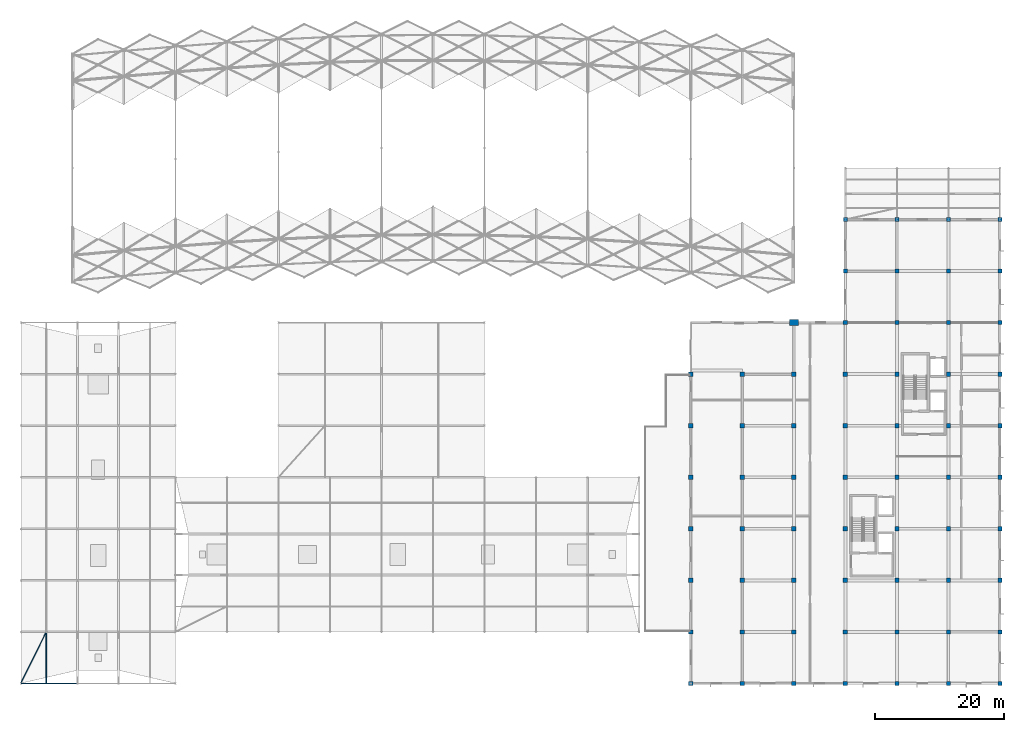
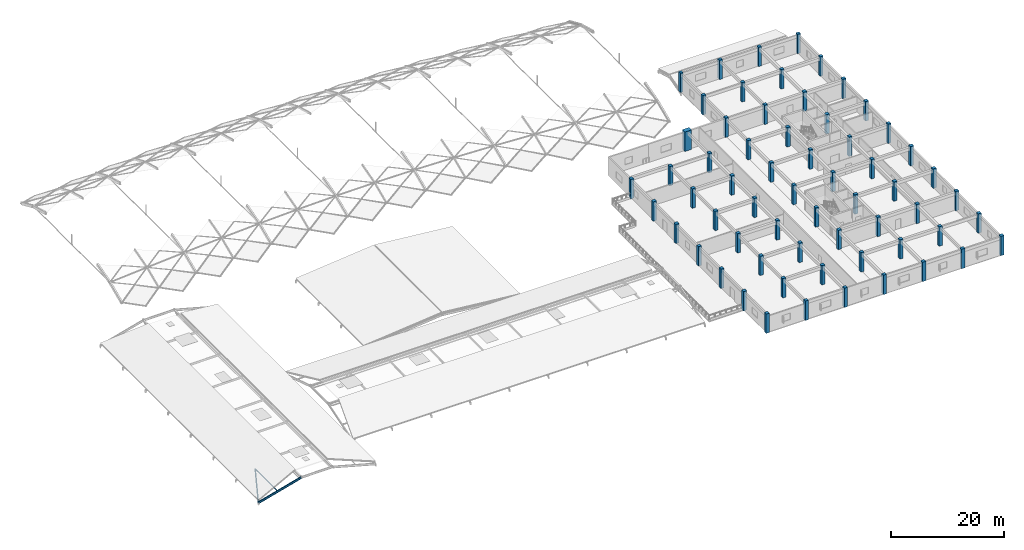
# One storey, part 1 of 54: 62 columns, 2 members, 1 beam.
"""IFC4 building model written with IfcOpenShell, lengths in metres."""

from ifc_helpers import new_model, si_unit, direction, frame, origin, origin_2d, place, context, subcontext, project, spatial, rectangle, hollow_circle, i_section, extrude, material, material_profile, profile_set, type_object, element, save


model = new_model("IFC4")

# Units and contexts
model_context = context("Model", 3, precision=1e-05, world=origin(), true_north=direction((0.0, 1.0)))
body_context = subcontext(model_context, "Body", "Model", "MODEL_VIEW")
ifc_project = project(units=[si_unit("LENGTHUNIT", "METRE"), si_unit("AREAUNIT", "SQUARE_METRE"), si_unit("VOLUMEUNIT", "CUBIC_METRE"), si_unit("PLANEANGLEUNIT", "RADIAN"), si_unit("MASSUNIT", "GRAM", prefix="KILO")], contexts=[model_context])

# Site, building, storey
site_placement = place(None, origin())
site = spatial("IfcSite", under=ifc_project, at=site_placement, CompositionType="ELEMENT")
building_placement = place(site_placement, origin())
building = spatial("IfcBuilding", under=site, at=building_placement, Name="Kenh Van Central Station", CompositionType="ELEMENT")
storey_placement = place(building_placement, frame((0.0, 0.0, 15.0)))
storey = spatial("IfcBuildingStorey", under=building, at=storey_placement, Name="L03", CompositionType="ELEMENT", Elevation=15.0)

# Columns
ifc_material_1 = material(Name="Concrete C40/50", Category="concrete")
ifc_material_profile_1 = material_profile(ifc_material_1, rectangle(XDim=1.39990234375, YDim=0.89990234375, at=origin_2d()), Name="RC 1400x900")
ifc_profile_set_1 = profile_set([ifc_material_profile_1], Name="Concrete C40/50")
column_type_1 = type_object("IfcColumnType", Name="COL-PIER-1400x900", PredefinedType="COLUMN", material=ifc_profile_set_1)
column_placement = place(storey_placement, frame((144.0, 64.0, 0.0), z_axis=(0.0, 0.0, 1.0), x_axis=(1.0, 0.0, 0.0)))
element("IfcColumn", 1, at=column_placement, inside=storey, type_object=column_type_1, Name="L03 column VP-14-0", PredefinedType="COLUMN", context=body_context, shape_type="SweptSolid", body=[
    extrude(rectangle(XDim=1.39990234375, YDim=0.89990234375, at=origin_2d()), origin(), (0.0, 0.0, 1.0), 4.199951171875),
])
ifc_material_2 = material(Name="Concrete C35/45", Category="concrete")
ifc_material_profile_2 = material_profile(ifc_material_2, rectangle(XDim=0.60009765625, YDim=0.60009765625, at=origin_2d()), Name="RC 600x600")
ifc_profile_set_2 = profile_set([ifc_material_profile_2], Name="Concrete C35/45")
column_type_2 = type_object("IfcColumnType", Name="COL-RC-600x600", PredefinedType="COLUMN", material=ifc_profile_set_2)
for number, where, z_axis, x_axis, name in (
    (2, (152.0, 72.0, 0.0), (0.0, 0.0, 1.0), (1.0, 0.0, 0.0), "L03 column CN-1520-072"),
    (3, (152.0, 80.0, 0.0), (0.0, 0.0, 1.0), (1.0, 0.0, 0.0), "L03 column CN-1520-080"),
    (4, (160.0, 72.0, 0.0), (0.0, 0.0, 1.0), (1.0, 0.0, 0.0), "L03 column CN-1600-072"),
    (5, (160.0, 80.0, 0.0), (0.0, 0.0, 1.0), (1.0, 0.0, 0.0), "L03 column CN-1600-080"),
    (6, (168.0, 72.0, 0.0), (0.0, 0.0, 1.0), (1.0, 0.0, 0.0), "L03 column CN-1680-072"),
    (7, (168.0, 80.0, 0.0), (0.0, 0.0, 1.0), (1.0, 0.0, 0.0), "L03 column CN-1680-080"),
    (8, (176.0, 72.0, 0.0), (0.0, 0.0, 1.0), (1.0, 0.0, 0.0), "L03 column CN-1760-072"),
    (9, (176.0, 80.0, 0.0), (0.0, 0.0, 1.0), (1.0, 0.0, 0.0), "L03 column CN-1760-080"),
):
    element("IfcColumn", number, at=place(storey_placement, frame(where, z_axis=z_axis, x_axis=x_axis)), inside=storey, type_object=column_type_2, Name=name, PredefinedType="COLUMN", context=body_context, shape_type="SweptSolid", body=[
        extrude(rectangle(XDim=0.60009765625, YDim=0.60009765625, at=origin_2d()), origin(), (0.0, 0.0, 1.0), 4.199951171875),
    ])
ifc_material_profile_3 = material_profile(ifc_material_2, rectangle(XDim=0.64990234375, YDim=0.64990234375, at=origin_2d()), Name="RC 650x650")
ifc_profile_set_3 = profile_set([ifc_material_profile_3], Name="Concrete C35/45")
column_type_3 = type_object("IfcColumnType", Name="COL-RC-650x650", PredefinedType="COLUMN", material=ifc_profile_set_3)
for number, where, z_axis, x_axis, name in (
    (10, (128.0, 8.0, 0.0), (0.0, 0.0, 1.0), (1.0, 0.0, 0.0), "L03 column CE-1280-008"),
    (11, (128.0, 16.0, 0.0), (0.0, 0.0, 1.0), (1.0, 0.0, 0.0), "L03 column CE-1280-016"),
    (12, (128.0, 24.0, 0.0), (0.0, 0.0, 1.0), (1.0, 0.0, 0.0), "L03 column CE-1280-024"),
    (13, (128.0, 32.0, 0.0), (0.0, 0.0, 1.0), (1.0, 0.0, 0.0), "L03 column CE-1280-032"),
    (14, (128.0, 40.0, 0.0), (0.0, 0.0, 1.0), (1.0, 0.0, 0.0), "L03 column CE-1280-040"),
    (15, (128.0, 48.0, 0.0), (0.0, 0.0, 1.0), (1.0, 0.0, 0.0), "L03 column CE-1280-048"),
    (16, (128.0, 56.0, 0.0), (0.0, 0.0, 1.0), (1.0, 0.0, 0.0), "L03 column CE-1280-056"),
    (17, (136.0, 8.0, 0.0), (0.0, 0.0, 1.0), (1.0, 0.0, 0.0), "L03 column CE-1360-008"),
    (18, (136.0, 16.0, 0.0), (0.0, 0.0, 1.0), (1.0, 0.0, 0.0), "L03 column CE-1360-016"),
    (19, (136.0, 24.0, 0.0), (0.0, 0.0, 1.0), (1.0, 0.0, 0.0), "L03 column CE-1360-024"),
    (20, (136.0, 32.0, 0.0), (0.0, 0.0, 1.0), (1.0, 0.0, 0.0), "L03 column CE-1360-032"),
    (21, (136.0, 40.0, 0.0), (0.0, 0.0, 1.0), (1.0, 0.0, 0.0), "L03 column CE-1360-040"),
    (22, (136.0, 48.0, 0.0), (0.0, 0.0, 1.0), (1.0, 0.0, 0.0), "L03 column CE-1360-048"),
    (23, (136.0, 56.0, 0.0), (0.0, 0.0, 1.0), (1.0, 0.0, 0.0), "L03 column CE-1360-056"),
    (24, (144.0, 8.0, 0.0), (0.0, 0.0, 1.0), (1.0, 0.0, 0.0), "L03 column CE-1440-008"),
    (25, (144.0, 16.0, 0.0), (0.0, 0.0, 1.0), (1.0, 0.0, 0.0), "L03 column CE-1440-016"),
    (26, (144.0, 24.0, 0.0), (0.0, 0.0, 1.0), (1.0, 0.0, 0.0), "L03 column CE-1440-024"),
    (27, (144.0, 32.0, 0.0), (0.0, 0.0, 1.0), (1.0, 0.0, 0.0), "L03 column CE-1440-032"),
    (28, (144.0, 40.0, 0.0), (0.0, 0.0, 1.0), (1.0, 0.0, 0.0), "L03 column CE-1440-040"),
    (29, (144.0, 48.0, 0.0), (0.0, 0.0, 1.0), (1.0, 0.0, 0.0), "L03 column CE-1440-048"),
    (30, (144.0, 56.0, 0.0), (0.0, 0.0, 1.0), (1.0, 0.0, 0.0), "L03 column CE-1440-056"),
    (31, (152.0, 8.0, 0.0), (0.0, 0.0, 1.0), (1.0, 0.0, 0.0), "L03 column CE-1520-008"),
    (32, (152.0, 16.0, 0.0), (0.0, 0.0, 1.0), (1.0, 0.0, 0.0), "L03 column CE-1520-016"),
    (33, (152.0, 24.0, 0.0), (0.0, 0.0, 1.0), (1.0, 0.0, 0.0), "L03 column CE-1520-024"),
    (34, (152.0, 32.0, 0.0), (0.0, 0.0, 1.0), (1.0, 0.0, 0.0), "L03 column CE-1520-032"),
    (35, (152.0, 40.0, 0.0), (0.0, 0.0, 1.0), (1.0, 0.0, 0.0), "L03 column CE-1520-040"),
    (36, (152.0, 48.0, 0.0), (0.0, 0.0, 1.0), (1.0, 0.0, 0.0), "L03 column CE-1520-048"),
    (37, (152.0, 56.0, 0.0), (0.0, 0.0, 1.0), (1.0, 0.0, 0.0), "L03 column CE-1520-056"),
    (38, (152.0, 64.0, 0.0), (0.0, 0.0, 1.0), (1.0, 0.0, 0.0), "L03 column CE-1520-064"),
    (39, (160.0, 8.0, 0.0), (0.0, 0.0, 1.0), (1.0, 0.0, 0.0), "L03 column CE-1600-008"),
    (40, (160.0, 16.0, 0.0), (0.0, 0.0, 1.0), (1.0, 0.0, 0.0), "L03 column CE-1600-016"),
    (41, (160.0, 24.0, 0.0), (0.0, 0.0, 1.0), (1.0, 0.0, 0.0), "L03 column CE-1600-024"),
    (42, (160.0, 32.0, 0.0), (0.0, 0.0, 1.0), (1.0, 0.0, 0.0), "L03 column CE-1600-032"),
    (43, (160.0, 40.0, 0.0), (0.0, 0.0, 1.0), (1.0, 0.0, 0.0), "L03 column CE-1600-040"),
    (44, (160.0, 48.0, 0.0), (0.0, 0.0, 1.0), (1.0, 0.0, 0.0), "L03 column CE-1600-048"),
    (45, (160.0, 56.0, 0.0), (0.0, 0.0, 1.0), (1.0, 0.0, 0.0), "L03 column CE-1600-056"),
    (46, (160.0, 64.0, 0.0), (0.0, 0.0, 1.0), (1.0, 0.0, 0.0), "L03 column CE-1600-064"),
    (47, (168.0, 8.0, 0.0), (0.0, 0.0, 1.0), (1.0, 0.0, 0.0), "L03 column CE-1680-008"),
    (48, (168.0, 16.0, 0.0), (0.0, 0.0, 1.0), (1.0, 0.0, 0.0), "L03 column CE-1680-016"),
    (49, (168.0, 24.0, 0.0), (0.0, 0.0, 1.0), (1.0, 0.0, 0.0), "L03 column CE-1680-024"),
    (50, (168.0, 32.0, 0.0), (0.0, 0.0, 1.0), (1.0, 0.0, 0.0), "L03 column CE-1680-032"),
    (51, (168.0, 40.0, 0.0), (0.0, 0.0, 1.0), (1.0, 0.0, 0.0), "L03 column CE-1680-040"),
    (52, (168.0, 48.0, 0.0), (0.0, 0.0, 1.0), (1.0, 0.0, 0.0), "L03 column CE-1680-048"),
    (53, (168.0, 56.0, 0.0), (0.0, 0.0, 1.0), (1.0, 0.0, 0.0), "L03 column CE-1680-056"),
    (54, (168.0, 64.0, 0.0), (0.0, 0.0, 1.0), (1.0, 0.0, 0.0), "L03 column CE-1680-064"),
    (55, (176.0, 8.0, 0.0), (0.0, 0.0, 1.0), (1.0, 0.0, 0.0), "L03 column CE-1760-008"),
    (56, (176.0, 16.0, 0.0), (0.0, 0.0, 1.0), (1.0, 0.0, 0.0), "L03 column CE-1760-016"),
    (57, (176.0, 24.0, 0.0), (0.0, 0.0, 1.0), (1.0, 0.0, 0.0), "L03 column CE-1760-024"),
    (58, (176.0, 32.0, 0.0), (0.0, 0.0, 1.0), (1.0, 0.0, 0.0), "L03 column CE-1760-032"),
    (59, (176.0, 40.0, 0.0), (0.0, 0.0, 1.0), (1.0, 0.0, 0.0), "L03 column CE-1760-040"),
    (60, (176.0, 48.0, 0.0), (0.0, 0.0, 1.0), (1.0, 0.0, 0.0), "L03 column CE-1760-048"),
    (61, (176.0, 56.0, 0.0), (0.0, 0.0, 1.0), (1.0, 0.0, 0.0), "L03 column CE-1760-056"),
    (62, (176.0, 64.0, 0.0), (0.0, 0.0, 1.0), (1.0, 0.0, 0.0), "L03 column CE-1760-064"),
):
    element("IfcColumn", number, at=place(storey_placement, frame(where, z_axis=z_axis, x_axis=x_axis)), inside=storey, type_object=column_type_3, Name=name, PredefinedType="COLUMN", context=body_context, shape_type="SweptSolid", body=[
        extrude(rectangle(XDim=0.64990234375, YDim=0.64990234375, at=origin_2d()), origin(), (0.0, 0.0, 1.0), 4.199951171875),
    ])

# Beam
ifc_material_3 = material(Name="Steel S355", Category="steel")
ifc_material_profile_4 = material_profile(ifc_material_3, i_section(OverallWidth=0.18994140625, OverallDepth=0.449951171875, WebThickness=0.009521484375, FlangeThickness=0.0146484375, FilletRadius=0.02099609375, at=origin_2d()), Name="IPE 450")
ifc_profile_set_4 = profile_set([ifc_material_profile_4], Name="Steel S355")
beam_type = type_object("IfcBeamType", Name="BM-STL-IPE450", PredefinedType="BEAM", material=ifc_profile_set_4)
beam_placement = place(storey_placement, frame((24.0, 8.0, -0.48046875), z_axis=(0.964766909512, 0.0, 0.263106081856), x_axis=(0.0, 1.0, 0.0)))
element("IfcBeam", 63, at=beam_placement, inside=storey, type_object=beam_type, Name="L03 roof rafter 097", PredefinedType="BEAM", context=body_context, shape_type="SweptSolid", body=[
    extrude(i_section(OverallWidth=0.18994140625, OverallDepth=0.449951171875, WebThickness=0.009521484375, FlangeThickness=0.0146484375, FilletRadius=0.02099609375, at=origin_2d()), origin(), (0.0, 0.0, 1.0), 9.121337890625),
])

# Members
ifc_material_profile_5 = material_profile(ifc_material_3, i_section(OverallWidth=0.10009765625, OverallDepth=0.199951171875, WebThickness=0.005615234375, FlangeThickness=0.008544921875, FilletRadius=0.011962890625, at=origin_2d()), Name="IPE 200")
ifc_profile_set_5 = profile_set([ifc_material_profile_5], Name="Steel S355")
member_type_1 = type_object("IfcMemberType", Name="MEM-PUR-IPE200", PredefinedType="PURLIN", material=ifc_profile_set_5)
member_1_placement = place(storey_placement, frame((27.9599609375, 8.0, 0.599609375), z_axis=(0.0, 1.0, 0.0), x_axis=(-1.0, 0.0, 0.0)))
element("IfcMember", 64, at=member_1_placement, inside=storey, type_object=member_type_1, Name="L03 roof purlin 039", PredefinedType="PURLIN", context=body_context, shape_type="SweptSolid", body=[
    extrude(i_section(OverallWidth=0.10009765625, OverallDepth=0.199951171875, WebThickness=0.005615234375, FlangeThickness=0.008544921875, FilletRadius=0.011962890625, at=origin_2d()), origin(), (0.0, 0.0, 1.0), 8.0),
])
ifc_material_profile_6 = material_profile(ifc_material_3, hollow_circle(Radius=0.084228515625, WallThickness=0.008056640625, at=origin_2d()), Name="CHS 168.3x8")
ifc_profile_set_6 = profile_set([ifc_material_profile_6], Name="Steel S355")
member_type_2 = type_object("IfcMemberType", Name="MEM-ROOF-BRC168", PredefinedType="BRACE", material=ifc_profile_set_6)
member_2_placement = place(storey_placement, frame((24.0, 8.0, -0.48046875), z_axis=(0.440409460092, 0.889724857478, 0.120121544479), x_axis=(-0.896214171657, 0.443621638924, 0.0)))
element("IfcMember", 65, at=member_2_placement, inside=storey, type_object=member_type_2, Name="L03 roof wind brace 024", PredefinedType="BRACE", context=body_context, shape_type="SweptSolid", body=[
    extrude(hollow_circle(Radius=0.084228515625, WallThickness=0.008056640625, at=origin_2d()), origin(), (0.0, 0.0, 1.0), 8.991455078125),
])

save(model, "model.ifc")
